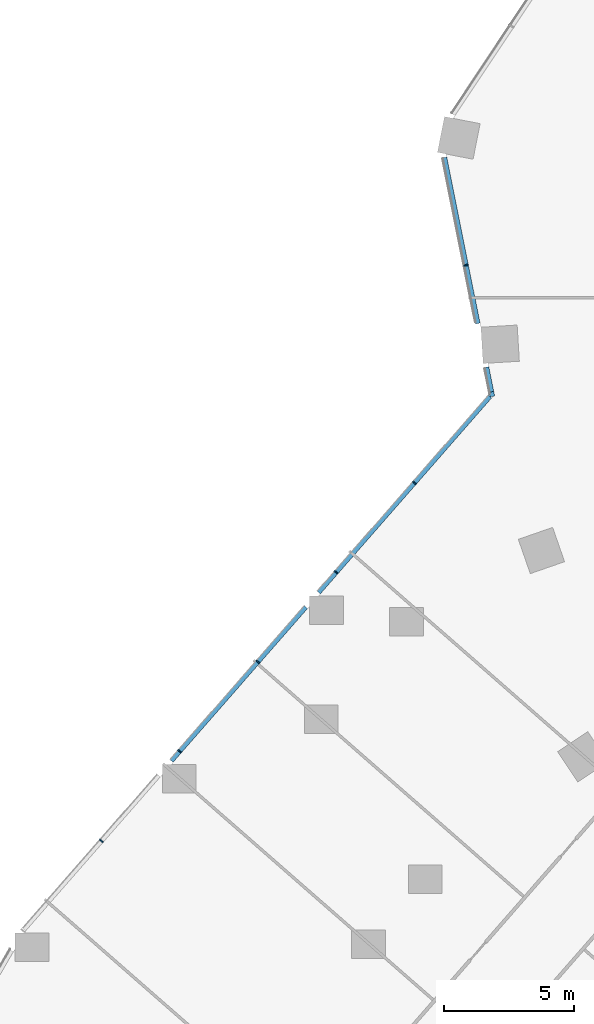
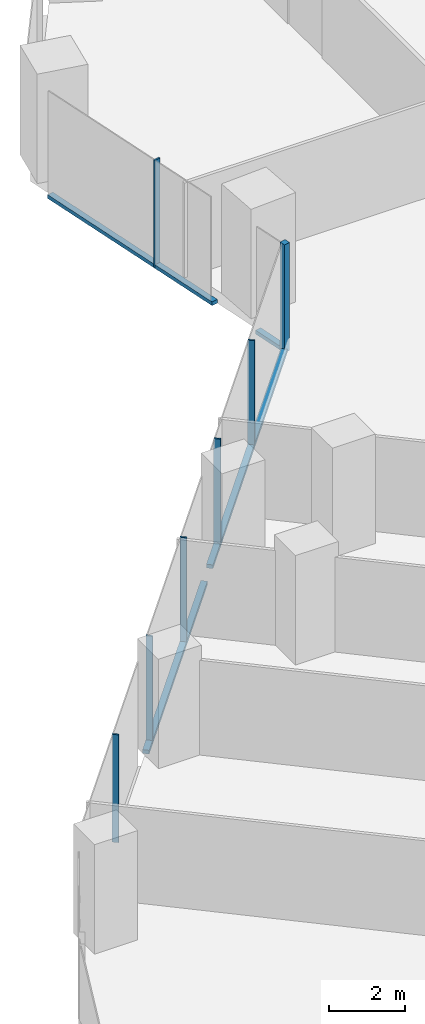
# One storey, part 6 of 38: 11 members, 2 elements without a shape of their own.
"""IFC4 building model written with IfcOpenShell, lengths in metres."""

from ifc_helpers import new_model, si_unit, direction, frame, origin, origin_2d, place, context, subcontext, project, spatial, rectangle, extrude, material, material_profile, profile_set, type_object, element, aggregate, save


model = new_model("IFC4")

# Units and contexts
model_context = context("Model", 3, precision=1e-05, world=origin(), true_north=direction((0.0, 1.0)))
body_context = subcontext(model_context, "Body", "Model", "MODEL_VIEW")
ifc_project = project(units=[si_unit("LENGTHUNIT", "METRE"), si_unit("AREAUNIT", "SQUARE_METRE"), si_unit("VOLUMEUNIT", "CUBIC_METRE"), si_unit("PLANEANGLEUNIT", "RADIAN"), si_unit("MASSUNIT", "GRAM", prefix="KILO")], contexts=[model_context])

# Site, building, storey
site_placement = place(None, origin())
site = spatial("IfcSite", under=ifc_project, at=site_placement, CompositionType="ELEMENT")
building_placement = place(site_placement, origin())
building = spatial("IfcBuilding", under=site, at=building_placement, Name="Orlundy Tower", CompositionType="ELEMENT")
storey_placement = place(building_placement, frame((0.0, 0.0, 72.800048828125)))
storey = spatial("IfcBuildingStorey", under=building, at=storey_placement, Name="L17", CompositionType="ELEMENT", Elevation=72.800048828125)

# Curtain wall, member
ifc_material_1 = material(Name="Aluminium bronze anodised", Category="aluminium")
curtain_wall_type = type_object("IfcCurtainWallType", Name="CW1 wall", PredefinedType="NOTDEFINED", material=ifc_material_1)
curtain_wall_1_placement = place(storey_placement, origin())
curtain_wall_1 = element("IfcCurtainWall", 1, at=curtain_wall_1_placement, inside=storey, type_object=curtain_wall_type, Name="CW1 run 013", PredefinedType="NOTDEFINED")
ifc_material_2 = material(Name="Aluminium bronze anodised", Category="aluminium")
ifc_material_profile_1 = material_profile(ifc_material_2, rectangle(XDim=0.179931640625, YDim=0.179931640625, at=origin_2d()), Name="CW1 corner post 180x180")
ifc_profile_set_1 = profile_set([ifc_material_profile_1], Name="Aluminium bronze anodised")
member_type_1 = type_object("IfcMemberType", Name="CW1 corner post 180x180", PredefinedType="MULLION", material=ifc_profile_set_1)
member_1_placement = place(storey_placement, frame((-29.94189453125, -3.72314453125, -0.400146484375), z_axis=(0.0, 0.0, 1.0), x_axis=(-0.980497937474, -0.196529373401, 0.0)))
member_1 = element("IfcMember", 2, at=member_1_placement, type_object=member_type_1, Name="CW1 mullion 32", PredefinedType="MULLION", context=body_context, shape_type="SweptSolid", body=[
    extrude(rectangle(XDim=0.179931640625, YDim=0.179931640625, at=origin_2d()), origin(), (0.0, 0.0, 1.0), 3.4501953125),
])

# Curtain wall, members
curtain_wall_2_placement = place(storey_placement, origin())
curtain_wall_2 = element("IfcCurtainWall", 3, at=curtain_wall_2_placement, inside=storey, type_object=curtain_wall_type, Name="CW1 run 012", PredefinedType="NOTDEFINED")
ifc_material_3 = material(Name="Aluminium bronze anodised", Category="aluminium")
ifc_material_profile_2 = material_profile(ifc_material_3, rectangle(XDim=0.179931640625, YDim=0.050048828125, at=origin_2d()), Name="CW1 mullion 50x180")
ifc_profile_set_2 = profile_set([ifc_material_profile_2], Name="Aluminium bronze anodised")
member_type_2 = type_object("IfcMemberType", Name="CW1 mullion 50x180", PredefinedType="MULLION", material=ifc_profile_set_2)
member_2_placement = place(storey_placement, frame((-45.01611328125, -20.96142578125, -0.400146484375), z_axis=(0.0, 0.0, 1.0), x_axis=(-0.752779154075, 0.658273153933, 0.0)))
member_2 = element("IfcMember", 4, at=member_2_placement, type_object=member_type_2, Name="CW1 mullion 27", PredefinedType="MULLION", context=body_context, shape_type="SweptSolid", body=[
    extrude(rectangle(XDim=0.179931640625, YDim=0.050048828125, at=origin_2d()), origin(), (0.0, 0.0, 1.0), 3.4501953125),
])
member_3_placement = place(storey_placement, frame((-41.995361328125, -17.507080078125, -0.400146484375), z_axis=(0.0, 0.0, 1.0), x_axis=(-0.752779154075, 0.658273153933, 0.0)))
member_3 = element("IfcMember", 5, at=member_3_placement, type_object=member_type_2, Name="CW1 mullion 28", PredefinedType="MULLION", context=body_context, shape_type="SweptSolid", body=[
    extrude(rectangle(XDim=0.179931640625, YDim=0.050048828125, at=origin_2d()), origin(), (0.0, 0.0, 1.0), 3.4501953125),
])
member_4_placement = place(storey_placement, frame((-38.974853515625, -14.052734375, -0.400146484375), z_axis=(0.0, 0.0, 1.0), x_axis=(-0.752779154075, 0.658273153933, 0.0)))
member_4 = element("IfcMember", 6, at=member_4_placement, type_object=member_type_2, Name="CW1 mullion 29", PredefinedType="MULLION", context=body_context, shape_type="SweptSolid", body=[
    extrude(rectangle(XDim=0.179931640625, YDim=0.050048828125, at=origin_2d()), origin(), (0.0, 0.0, 1.0), 3.4501953125),
])
member_5_placement = place(storey_placement, frame((-35.9541015625, -10.598388671875, -0.400146484375), z_axis=(0.0, 0.0, 1.0), x_axis=(-0.752779154075, 0.658273153933, 0.0)))
member_5 = element("IfcMember", 7, at=member_5_placement, type_object=member_type_2, Name="CW1 mullion 30", PredefinedType="MULLION", context=body_context, shape_type="SweptSolid", body=[
    extrude(rectangle(XDim=0.179931640625, YDim=0.050048828125, at=origin_2d()), origin(), (0.0, 0.0, 1.0), 3.4501953125),
])
member_6_placement = place(storey_placement, frame((-32.933349609375, -7.14404296875, -0.400146484375), z_axis=(0.0, 0.0, 1.0), x_axis=(-0.752779154075, 0.658273153933, 0.0)))
member_6 = element("IfcMember", 8, at=member_6_placement, type_object=member_type_2, Name="CW1 mullion 31", PredefinedType="MULLION", context=body_context, shape_type="SweptSolid", body=[
    extrude(rectangle(XDim=0.179931640625, YDim=0.050048828125, at=origin_2d()), origin(), (0.0, 0.0, 1.0), 3.4501953125),
])

# Member
member_7_placement = place(storey_placement, frame((-30.939208984375, 1.252197265625, -0.400146484375), z_axis=(0.0, 0.0, 1.0), x_axis=(-0.980497937474, -0.196529373401, 0.0)))
member_7 = element("IfcMember", 9, at=member_7_placement, type_object=member_type_2, Name="CW1 mullion 33", PredefinedType="MULLION", context=body_context, shape_type="SweptSolid", body=[
    extrude(rectangle(XDim=0.179931640625, YDim=0.050048828125, at=origin_2d()), origin(), (0.0, 0.0, 1.0), 3.4501953125),
])

ifc_material_4 = material(Name="Aluminium bronze anodised", Category="aluminium")
ifc_material_profile_3 = material_profile(ifc_material_4, rectangle(XDim=0.179931640625, YDim=0.1201171875, at=origin_2d()), Name="CW1 transom 180x120")
ifc_profile_set_3 = profile_set([ifc_material_profile_3], Name="Aluminium bronze anodised")
member_type_3 = type_object("IfcMemberType", Name="CW1 transom 180x120", PredefinedType="USERDEFINED", material=ifc_profile_set_3)
member_8_placement = place(storey_placement, frame((-42.313720703125, -17.87109375, -0.340087890625), z_axis=(0.658274246781, 0.752778198425, 0.0), x_axis=(-0.752778198425, 0.658274246781, 0.0)))
member_8 = element("IfcMember", 10, at=member_8_placement, type_object=member_type_3, Name="CW1 transom", ObjectType="TRANSOM", PredefinedType="USERDEFINED", context=body_context, shape_type="SweptSolid", body=[
    extrude(rectangle(XDim=0.179931640625, YDim=0.1201171875, at=origin_2d()), origin(), (0.0, 0.0, 1.0), 7.87939453125),
])

member_9_placement = place(storey_placement, frame((-36.630615234375, -11.3720703125, -0.340087890625), z_axis=(0.658277502826, 0.752775351133, 0.0), x_axis=(-0.752775351133, 0.658277502826, 0.0)))
member_9 = element("IfcMember", 11, at=member_9_placement, type_object=member_type_3, Name="CW1 transom", ObjectType="TRANSOM", PredefinedType="USERDEFINED", context=body_context, shape_type="SweptSolid", body=[
    extrude(rectangle(XDim=0.179931640625, YDim=0.1201171875, at=origin_2d()), origin(), (0.0, 0.0, 1.0), 10.04736328125),
])

aggregate(curtain_wall_2, [member_2, member_3, member_4, member_5, member_6, member_8, member_9])

member_10_placement = place(storey_placement, frame((-29.959716796875, -3.635009765625, -0.340087890625), z_axis=(-0.19635725955, 0.980532419975, 0.0), x_axis=(-0.980532419975, -0.19635725955, 0.0)))
member_10 = element("IfcMember", 12, at=member_10_placement, type_object=member_type_3, Name="CW1 transom", ObjectType="TRANSOM", PredefinedType="USERDEFINED", context=body_context, shape_type="SweptSolid", body=[
    extrude(rectangle(XDim=0.179931640625, YDim=0.1201171875, at=origin_2d()), origin(), (0.0, 0.0, 1.0), 0.9736328125),
])

member_11_placement = place(storey_placement, frame((-30.48828125, -0.997802734375, -0.340087890625), z_axis=(-0.19652590044, 0.980498633582, 0.0), x_axis=(-0.980498633582, -0.19652590044, 0.0)))
member_11 = element("IfcMember", 13, at=member_11_placement, type_object=member_type_3, Name="CW1 transom", ObjectType="TRANSOM", PredefinedType="USERDEFINED", context=body_context, shape_type="SweptSolid", body=[
    extrude(rectangle(XDim=0.179931640625, YDim=0.1201171875, at=origin_2d()), origin(), (0.0, 0.0, 1.0), 6.53076171875),
])

aggregate(curtain_wall_1, [member_1, member_7, member_10, member_11])

save(model, "model.ifc")
